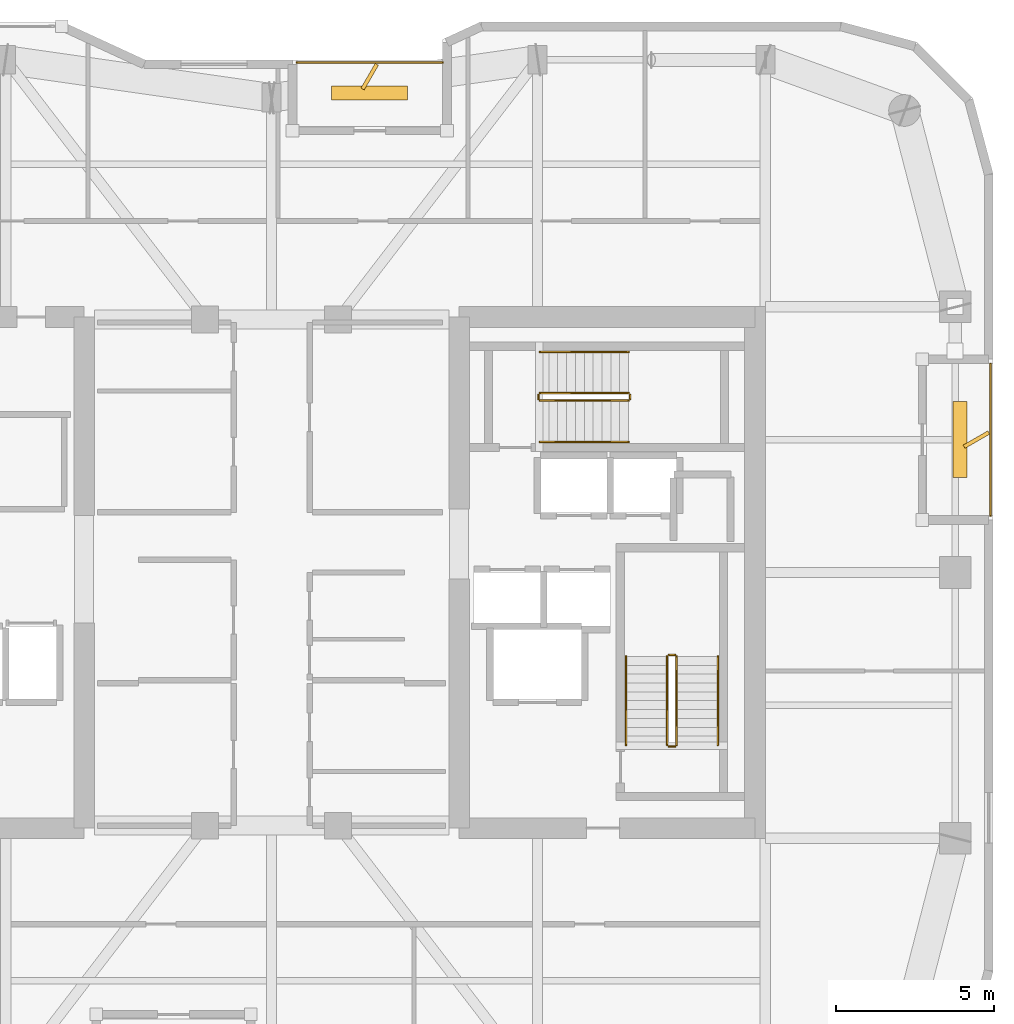
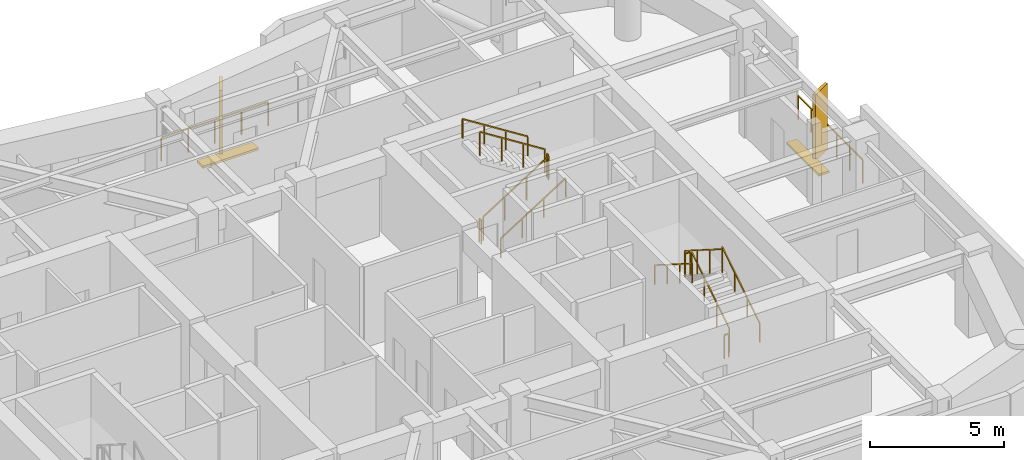
# One storey, part 15 of 15: 14 railings, 4 shading devices.
"""IFC4 building model written with IfcOpenShell, lengths in metres."""

from ifc_helpers import new_model, si_unit, direction, frame, origin, origin_2d, place, context, subcontext, project, spatial, rectangle, extrude, material, type_object, element, save


model = new_model("IFC4")

# Units and contexts
model_context = context("Model", 3, precision=1e-05, world=origin(), true_north=direction((0.0, 1.0)))
body_context = subcontext(model_context, "Body", "Model", "MODEL_VIEW")
ifc_project = project(units=[si_unit("LENGTHUNIT", "METRE"), si_unit("AREAUNIT", "SQUARE_METRE"), si_unit("VOLUMEUNIT", "CUBIC_METRE"), si_unit("PLANEANGLEUNIT", "RADIAN"), si_unit("MASSUNIT", "GRAM", prefix="KILO")], contexts=[model_context])

# Site, building, storey
site_placement = place(None, origin())
site = spatial("IfcSite", under=ifc_project, at=site_placement, CompositionType="ELEMENT")
building_placement = place(site_placement, origin())
building = spatial("IfcBuilding", under=site, at=building_placement, Name="Kiyonajd Concourse Tower", CompositionType="ELEMENT")
storey_placement = place(building_placement, frame((0.0, 0.0, 258.89990234375)))
storey = spatial("IfcBuildingStorey", under=building, at=storey_placement, Name="L65", CompositionType="ELEMENT", Elevation=258.89990234375)

# Railings
ifc_material_1 = material(Name="Thermally Broken Anodised Aluminium", Category="aluminium")
railing_type_1 = type_object("IfcRailingType", Name="RL-GRD-LOG", PredefinedType="GUARDRAIL", material=ifc_material_1)
railing_1_placement = place(storey_placement, frame((53.39990234375, 52.1201171875, 0.0)))
element("IfcRailing", 1, at=railing_1_placement, inside=storey, type_object=railing_type_1, Name="L65 Engawa Loggia Perimeter Guard LOG-N", PredefinedType="GUARDRAIL", context=body_context, shape_type="SweptSolid", body=[
    extrude(rectangle(XDim=0.048095703125, YDim=0.048095703125, at=origin_2d()), frame((0.0, 0.0, 1.076171875), z_axis=(-1.0, 0.0, 0.0), x_axis=(0.0, -1.0, 0.0)), (0.0, 0.0, 1.0), 4.599853515625),
    extrude(rectangle(XDim=0.0419921875, YDim=0.0419921875, at=origin_2d()), origin(), (0.0, 0.0, 1.0), 1.052001953125),
    extrude(rectangle(XDim=0.0419921875, YDim=0.0419921875, at=origin_2d()), frame((-1.14990234375, 0.0, 0.0)), (0.0, 0.0, 1.0), 1.052001953125),
    extrude(rectangle(XDim=0.0419921875, YDim=0.0419921875, at=origin_2d()), frame((-2.2998046875, 0.0, 0.0)), (0.0, 0.0, 1.0), 1.052001953125),
    extrude(rectangle(XDim=0.0419921875, YDim=0.0419921875, at=origin_2d()), frame((-3.449951171875, 0.0, 0.0)), (0.0, 0.0, 1.0), 1.052001953125),
    extrude(rectangle(XDim=0.0419921875, YDim=0.0419921875, at=origin_2d()), frame((-4.599853515625, 0.0, 0.0)), (0.0, 0.0, 1.0), 1.052001953125),
])
railing_2_placement = place(storey_placement, frame((70.719970703125, 37.800048828125, 0.0)))
element("IfcRailing", 2, at=railing_2_placement, inside=storey, type_object=railing_type_1, Name="L65 Engawa Loggia Perimeter Guard LOG-E", PredefinedType="GUARDRAIL", context=body_context, shape_type="SweptSolid", body=[
    extrude(rectangle(XDim=0.048095703125, YDim=0.048095703125, at=origin_2d()), frame((0.0, 0.0, 1.076171875), z_axis=(0.0, 1.0, 0.0), x_axis=(-1.0, 0.0, 0.0)), (0.0, 0.0, 1.0), 4.800048828125),
    extrude(rectangle(XDim=0.0419921875, YDim=0.0419921875, at=origin_2d()), origin(), (0.0, 0.0, 1.0), 1.052001953125),
    extrude(rectangle(XDim=0.0419921875, YDim=0.0419921875, at=origin_2d()), frame((0.0, 0.9599609375, 0.0)), (0.0, 0.0, 1.0), 1.052001953125),
    extrude(rectangle(XDim=0.0419921875, YDim=0.0419921875, at=origin_2d()), frame((0.0, 1.919921875, 0.0)), (0.0, 0.0, 1.0), 1.052001953125),
    extrude(rectangle(XDim=0.0419921875, YDim=0.0419921875, at=origin_2d()), frame((0.0, 2.880126953125, 0.0)), (0.0, 0.0, 1.0), 1.052001953125),
    extrude(rectangle(XDim=0.0419921875, YDim=0.0419921875, at=origin_2d()), frame((0.0, 3.840087890625, 0.0)), (0.0, 0.0, 1.0), 1.052001953125),
    extrude(rectangle(XDim=0.0419921875, YDim=0.0419921875, at=origin_2d()), frame((0.0, 4.800048828125, 0.0)), (0.0, 0.0, 1.0), 1.052001953125),
])
ifc_material_2 = material(Name="Steel ASTM A500 Grade C", Category="steel")
railing_type_2 = type_object("IfcRailingType", Name="RL-GRD-STR", PredefinedType="GUARDRAIL", material=ifc_material_2)
railing_3_placement = place(storey_placement, frame((60.800048828125, 30.550048828125, 0.177490234375)))
element("IfcRailing", 3, at=railing_3_placement, inside=storey, type_object=railing_type_2, Name="L65 ST2 stair guard 1", PredefinedType="GUARDRAIL", context=body_context, shape_type="SweptSolid", body=[
    extrude(rectangle(XDim=0.048095703125, YDim=0.048095703125, at=origin_2d()), frame((0.0, 0.0, 1.076171875), z_axis=(0.0, 0.844908973607, 0.534910110503), x_axis=(-1.0, 0.0, 0.0)), (0.0, 0.0, 1.0), 3.31396484375),
    extrude(rectangle(XDim=0.0419921875, YDim=0.0419921875, at=origin_2d()), origin(), (0.0, 0.0, 1.0), 1.052001953125),
    extrude(rectangle(XDim=0.0419921875, YDim=0.0419921875, at=origin_2d()), frame((0.0, 0.933349609375, 0.5908203125)), (0.0, 0.0, 1.0), 1.052001953125),
    extrude(rectangle(XDim=0.0419921875, YDim=0.0419921875, at=origin_2d()), frame((0.0, 1.86669921875, 1.181884765625)), (0.0, 0.0, 1.0), 1.052001953125),
    extrude(rectangle(XDim=0.0419921875, YDim=0.0419921875, at=origin_2d()), frame((0.0, 2.800048828125, 1.772705078125)), (0.0, 0.0, 1.0), 1.052001953125),
])
railing_4_placement = place(storey_placement, frame((60.75, 33.39990234375, 1.9501953125)))
element("IfcRailing", 4, at=railing_4_placement, inside=storey, type_object=railing_type_2, Name="L65 ST2 stair guard 2", PredefinedType="GUARDRAIL", context=body_context, shape_type="SweptSolid", body=[
    extrude(rectangle(XDim=0.048095703125, YDim=0.048095703125, at=origin_2d()), frame((0.0, 0.0, 1.076171875), z_axis=(-1.0, 0.0, 0.0), x_axis=(0.0, -1.0, 0.0)), (0.0, 0.0, 1.0), 0.199951171875),
    extrude(rectangle(XDim=0.0419921875, YDim=0.0419921875, at=origin_2d()), origin(), (0.0, 0.0, 1.0), 1.052001953125),
    extrude(rectangle(XDim=0.0419921875, YDim=0.0419921875, at=origin_2d()), frame((-0.199951171875, 0.0, 0.0)), (0.0, 0.0, 1.0), 1.052001953125),
])
railing_5_placement = place(storey_placement, frame((60.5, 33.35009765625, 2.12744140625)))
element("IfcRailing", 5, at=railing_5_placement, inside=storey, type_object=railing_type_2, Name="L65 ST2 stair guard 3", PredefinedType="GUARDRAIL", context=body_context, shape_type="SweptSolid", body=[
    extrude(rectangle(XDim=0.048095703125, YDim=0.048095703125, at=origin_2d()), frame((0.0, 0.0, 1.076171875), z_axis=(0.0, -0.844908973607, 0.534910110503), x_axis=(1.0, 0.0, 0.0)), (0.0, 0.0, 1.0), 3.31396484375),
    extrude(rectangle(XDim=0.0419921875, YDim=0.0419921875, at=origin_2d()), origin(), (0.0, 0.0, 1.0), 1.052001953125),
    extrude(rectangle(XDim=0.0419921875, YDim=0.0419921875, at=origin_2d()), frame((0.0, -0.933349609375, 0.5908203125)), (0.0, 0.0, 1.0), 1.052001953125),
    extrude(rectangle(XDim=0.0419921875, YDim=0.0419921875, at=origin_2d()), frame((0.0, -1.86669921875, 1.181884765625)), (0.0, 0.0, 1.0), 1.052001953125),
    extrude(rectangle(XDim=0.0419921875, YDim=0.0419921875, at=origin_2d()), frame((0.0, -2.800048828125, 1.772705078125)), (0.0, 0.0, 1.0), 1.052001953125),
])
railing_6_placement = place(storey_placement, frame((60.75, 30.5, 0.0)))
element("IfcRailing", 6, at=railing_6_placement, inside=storey, type_object=railing_type_2, Name="L65 ST2 stair guard 4", PredefinedType="GUARDRAIL", context=body_context, shape_type="SweptSolid", body=[
    extrude(rectangle(XDim=0.048095703125, YDim=0.048095703125, at=origin_2d()), frame((0.0, 0.0, 1.076171875), z_axis=(-1.0, 0.0, 0.0), x_axis=(0.0, -1.0, 0.0)), (0.0, 0.0, 1.0), 0.199951171875),
    extrude(rectangle(XDim=0.0419921875, YDim=0.0419921875, at=origin_2d()), origin(), (0.0, 0.0, 1.0), 1.052001953125),
    extrude(rectangle(XDim=0.0419921875, YDim=0.0419921875, at=origin_2d()), frame((-0.199951171875, 0.0, 0.0)), (0.0, 0.0, 1.0), 1.052001953125),
])
railing_7_placement = place(storey_placement, frame((56.47998046875, 41.429931640625, 0.177490234375)))
element("IfcRailing", 7, at=railing_7_placement, inside=storey, type_object=railing_type_2, Name="L65 ST3 stair guard 1", PredefinedType="GUARDRAIL", context=body_context, shape_type="SweptSolid", body=[
    extrude(rectangle(XDim=0.048095703125, YDim=0.048095703125, at=origin_2d()), frame((0.0, 0.0, 1.076171875), z_axis=(0.844908973607, 0.0, 0.534910110503), x_axis=(0.0, 1.0, 0.0)), (0.0, 0.0, 1.0), 3.31396484375),
    extrude(rectangle(XDim=0.0419921875, YDim=0.0419921875, at=origin_2d()), origin(), (0.0, 0.0, 1.0), 1.052001953125),
    extrude(rectangle(XDim=0.0419921875, YDim=0.0419921875, at=origin_2d()), frame((0.933349609375, 0.0, 0.5908203125)), (0.0, 0.0, 1.0), 1.052001953125),
    extrude(rectangle(XDim=0.0419921875, YDim=0.0419921875, at=origin_2d()), frame((1.86669921875, 0.0, 1.181884765625)), (0.0, 0.0, 1.0), 1.052001953125),
    extrude(rectangle(XDim=0.0419921875, YDim=0.0419921875, at=origin_2d()), frame((2.800048828125, 0.0, 1.772705078125)), (0.0, 0.0, 1.0), 1.052001953125),
])
railing_8_placement = place(storey_placement, frame((59.330078125, 41.47998046875, 1.9501953125)))
element("IfcRailing", 8, at=railing_8_placement, inside=storey, type_object=railing_type_2, Name="L65 ST3 stair guard 2", PredefinedType="GUARDRAIL", context=body_context, shape_type="SweptSolid", body=[
    extrude(rectangle(XDim=0.048095703125, YDim=0.048095703125, at=origin_2d()), frame((0.0, 0.0, 1.076171875), z_axis=(0.0, 1.0, 0.0), x_axis=(-1.0, 0.0, 0.0)), (0.0, 0.0, 1.0), 0.14013671875),
    extrude(rectangle(XDim=0.0419921875, YDim=0.0419921875, at=origin_2d()), origin(), (0.0, 0.0, 1.0), 1.052001953125),
    extrude(rectangle(XDim=0.0419921875, YDim=0.0419921875, at=origin_2d()), frame((0.0, 0.14013671875, 0.0)), (0.0, 0.0, 1.0), 1.052001953125),
])
railing_9_placement = place(storey_placement, frame((59.280029296875, 41.669921875, 2.12744140625)))
element("IfcRailing", 9, at=railing_9_placement, inside=storey, type_object=railing_type_2, Name="L65 ST3 stair guard 3", PredefinedType="GUARDRAIL", context=body_context, shape_type="SweptSolid", body=[
    extrude(rectangle(XDim=0.048095703125, YDim=0.048095703125, at=origin_2d()), frame((0.0, 0.0, 1.076171875), z_axis=(-0.844908973607, 0.0, 0.534910110503), x_axis=(0.0, -1.0, 0.0)), (0.0, 0.0, 1.0), 3.31396484375),
    extrude(rectangle(XDim=0.0419921875, YDim=0.0419921875, at=origin_2d()), origin(), (0.0, 0.0, 1.0), 1.052001953125),
    extrude(rectangle(XDim=0.0419921875, YDim=0.0419921875, at=origin_2d()), frame((-0.933349609375, 0.0, 0.5908203125)), (0.0, 0.0, 1.0), 1.052001953125),
    extrude(rectangle(XDim=0.0419921875, YDim=0.0419921875, at=origin_2d()), frame((-1.86669921875, 0.0, 1.181884765625)), (0.0, 0.0, 1.0), 1.052001953125),
    extrude(rectangle(XDim=0.0419921875, YDim=0.0419921875, at=origin_2d()), frame((-2.800048828125, 0.0, 1.772705078125)), (0.0, 0.0, 1.0), 1.052001953125),
])
railing_10_placement = place(storey_placement, frame((56.429931640625, 41.47998046875, 0.0)))
element("IfcRailing", 10, at=railing_10_placement, inside=storey, type_object=railing_type_2, Name="L65 ST3 stair guard 4", PredefinedType="GUARDRAIL", context=body_context, shape_type="SweptSolid", body=[
    extrude(rectangle(XDim=0.048095703125, YDim=0.048095703125, at=origin_2d()), frame((0.0, 0.0, 1.076171875), z_axis=(0.0, 1.0, 0.0), x_axis=(-1.0, 0.0, 0.0)), (0.0, 0.0, 1.0), 0.14013671875),
    extrude(rectangle(XDim=0.0419921875, YDim=0.0419921875, at=origin_2d()), origin(), (0.0, 0.0, 1.0), 1.052001953125),
    extrude(rectangle(XDim=0.0419921875, YDim=0.0419921875, at=origin_2d()), frame((0.0, 0.14013671875, 0.0)), (0.0, 0.0, 1.0), 1.052001953125),
])
ifc_material_3 = material(Name="Brushed Stainless Steel Cab Assembly", Category="steel")
railing_type_3 = type_object("IfcRailingType", Name="RL-HND-900", PredefinedType="HANDRAIL", material=ifc_material_3)
railing_11_placement = place(storey_placement, frame((62.10009765625, 30.550048828125, 0.177490234375)))
element("IfcRailing", 11, at=railing_11_placement, inside=storey, type_object=railing_type_3, Name="L65 ST2 stair handrail 1", PredefinedType="HANDRAIL", context=body_context, shape_type="SweptSolid", body=[
    extrude(rectangle(XDim=0.048095703125, YDim=0.048095703125, at=origin_2d()), frame((0.0, 0.0, 0.8759765625), z_axis=(0.0, 0.844908973607, 0.534910110503), x_axis=(-1.0, 0.0, 0.0)), (0.0, 0.0, 1.0), 3.31396484375),
    extrude(rectangle(XDim=0.0419921875, YDim=0.0419921875, at=origin_2d()), origin(), (0.0, 0.0, 1.0), 0.851806640625),
    extrude(rectangle(XDim=0.0419921875, YDim=0.0419921875, at=origin_2d()), frame((0.0, 0.933349609375, 0.5908203125)), (0.0, 0.0, 1.0), 0.851806640625),
    extrude(rectangle(XDim=0.0419921875, YDim=0.0419921875, at=origin_2d()), frame((0.0, 1.86669921875, 1.181884765625)), (0.0, 0.0, 1.0), 0.851806640625),
    extrude(rectangle(XDim=0.0419921875, YDim=0.0419921875, at=origin_2d()), frame((0.0, 2.800048828125, 1.772705078125)), (0.0, 0.0, 1.0), 0.851806640625),
])
railing_12_placement = place(storey_placement, frame((59.199951171875, 33.35009765625, 2.12744140625)))
element("IfcRailing", 12, at=railing_12_placement, inside=storey, type_object=railing_type_3, Name="L65 ST2 stair handrail 2", PredefinedType="HANDRAIL", context=body_context, shape_type="SweptSolid", body=[
    extrude(rectangle(XDim=0.048095703125, YDim=0.048095703125, at=origin_2d()), frame((0.0, 0.0, 0.8759765625), z_axis=(0.0, -0.844908973607, 0.534910110503), x_axis=(1.0, 0.0, 0.0)), (0.0, 0.0, 1.0), 3.31396484375),
    extrude(rectangle(XDim=0.0419921875, YDim=0.0419921875, at=origin_2d()), origin(), (0.0, 0.0, 1.0), 0.851806640625),
    extrude(rectangle(XDim=0.0419921875, YDim=0.0419921875, at=origin_2d()), frame((0.0, -0.933349609375, 0.5908203125)), (0.0, 0.0, 1.0), 0.851806640625),
    extrude(rectangle(XDim=0.0419921875, YDim=0.0419921875, at=origin_2d()), frame((0.0, -1.86669921875, 1.181884765625)), (0.0, 0.0, 1.0), 0.851806640625),
    extrude(rectangle(XDim=0.0419921875, YDim=0.0419921875, at=origin_2d()), frame((0.0, -2.800048828125, 1.772705078125)), (0.0, 0.0, 1.0), 0.851806640625),
])
railing_13_placement = place(storey_placement, frame((56.47998046875, 40.1298828125, 0.177490234375)))
element("IfcRailing", 13, at=railing_13_placement, inside=storey, type_object=railing_type_3, Name="L65 ST3 stair handrail 1", PredefinedType="HANDRAIL", context=body_context, shape_type="SweptSolid", body=[
    extrude(rectangle(XDim=0.048095703125, YDim=0.048095703125, at=origin_2d()), frame((0.0, 0.0, 0.8759765625), z_axis=(0.844908973607, 0.0, 0.534910110503), x_axis=(0.0, 1.0, 0.0)), (0.0, 0.0, 1.0), 3.31396484375),
    extrude(rectangle(XDim=0.0419921875, YDim=0.0419921875, at=origin_2d()), origin(), (0.0, 0.0, 1.0), 0.851806640625),
    extrude(rectangle(XDim=0.0419921875, YDim=0.0419921875, at=origin_2d()), frame((0.933349609375, 0.0, 0.5908203125)), (0.0, 0.0, 1.0), 0.851806640625),
    extrude(rectangle(XDim=0.0419921875, YDim=0.0419921875, at=origin_2d()), frame((1.86669921875, 0.0, 1.181884765625)), (0.0, 0.0, 1.0), 0.851806640625),
    extrude(rectangle(XDim=0.0419921875, YDim=0.0419921875, at=origin_2d()), frame((2.800048828125, 0.0, 1.772705078125)), (0.0, 0.0, 1.0), 0.851806640625),
])
railing_14_placement = place(storey_placement, frame((59.280029296875, 42.969970703125, 2.12744140625)))
element("IfcRailing", 14, at=railing_14_placement, inside=storey, type_object=railing_type_3, Name="L65 ST3 stair handrail 2", PredefinedType="HANDRAIL", context=body_context, shape_type="SweptSolid", body=[
    extrude(rectangle(XDim=0.048095703125, YDim=0.048095703125, at=origin_2d()), frame((0.0, 0.0, 0.8759765625), z_axis=(-0.844908973607, 0.0, 0.534910110503), x_axis=(0.0, -1.0, 0.0)), (0.0, 0.0, 1.0), 3.31396484375),
    extrude(rectangle(XDim=0.0419921875, YDim=0.0419921875, at=origin_2d()), origin(), (0.0, 0.0, 1.0), 0.851806640625),
    extrude(rectangle(XDim=0.0419921875, YDim=0.0419921875, at=origin_2d()), frame((-0.933349609375, 0.0, 0.5908203125)), (0.0, 0.0, 1.0), 0.851806640625),
    extrude(rectangle(XDim=0.0419921875, YDim=0.0419921875, at=origin_2d()), frame((-1.86669921875, 0.0, 1.181884765625)), (0.0, 0.0, 1.0), 0.851806640625),
    extrude(rectangle(XDim=0.0419921875, YDim=0.0419921875, at=origin_2d()), frame((-2.800048828125, 0.0, 1.772705078125)), (0.0, 0.0, 1.0), 0.851806640625),
])

# Shading devices
ifc_material_4 = material(Name="Precast concrete C50/60", Category="concrete")
shading_device_type_1 = type_object("IfcShadingDeviceType", Name="SH-FIN-900", PredefinedType="USERDEFINED", material=ifc_material_4)
for number, where, z_axis, x_axis, name in (
    (15, (51.10009765625, 51.669921875, 0.0), (0.0, 0.0, 1.0), (0.5, 0.866025403784, 0.0), "L65 Angled Koshi Solar Fin LOG-N"),
    (16, (70.27001953125, 40.199951171875, 0.0), (0.0, 0.0, 1.0), (0.866025403784, 0.5, 0.0), "L65 Angled Koshi Solar Fin LOG-E"),
):
    element("IfcShadingDevice", number, at=place(storey_placement, frame(where, z_axis=z_axis, x_axis=x_axis)), inside=storey, type_object=shading_device_type_1, Name=name, ObjectType="FIN", PredefinedType="USERDEFINED", context=body_context, shape_type="SweptSolid", body=[
        extrude(rectangle(XDim=0.89990234375, YDim=0.1201171875, at=origin_2d()), origin(), (0.0, 0.0, 1.0), 3.0),
    ])
shading_device_type_2 = type_object("IfcShadingDeviceType", Name="SH-LVR-600", PredefinedType="JALOUSIE", material=ifc_material_1)
for number, where, z_axis, x_axis, name in (
    (17, (51.10009765625, 51.14990234375, 0.0), (0.0, 0.0, 1.0), (1.0, 0.0, 0.0), "L65 Loggia Threshold Louver LOG-N"),
    (18, (69.75, 40.199951171875, 0.0), (0.0, 0.0, 1.0), (0.0, 1.0, 0.0), "L65 Loggia Threshold Louver LOG-E"),
):
    element("IfcShadingDevice", number, at=place(storey_placement, frame(where, z_axis=z_axis, x_axis=x_axis)), inside=storey, type_object=shading_device_type_2, Name=name, PredefinedType="JALOUSIE", context=body_context, shape_type="SweptSolid", body=[
        extrude(rectangle(XDim=2.39990234375, YDim=0.449951171875, at=origin_2d()), origin(), (0.0, 0.0, 1.0), 0.10009765625),
    ])

save(model, "model.ifc")
